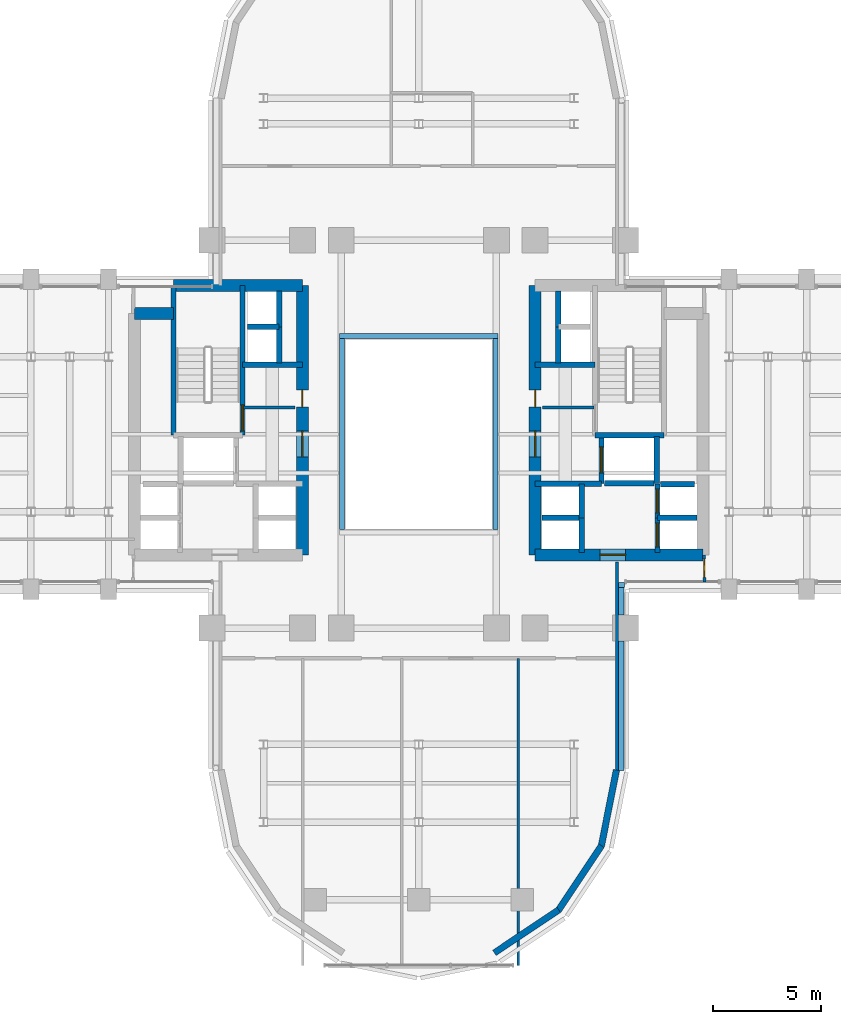
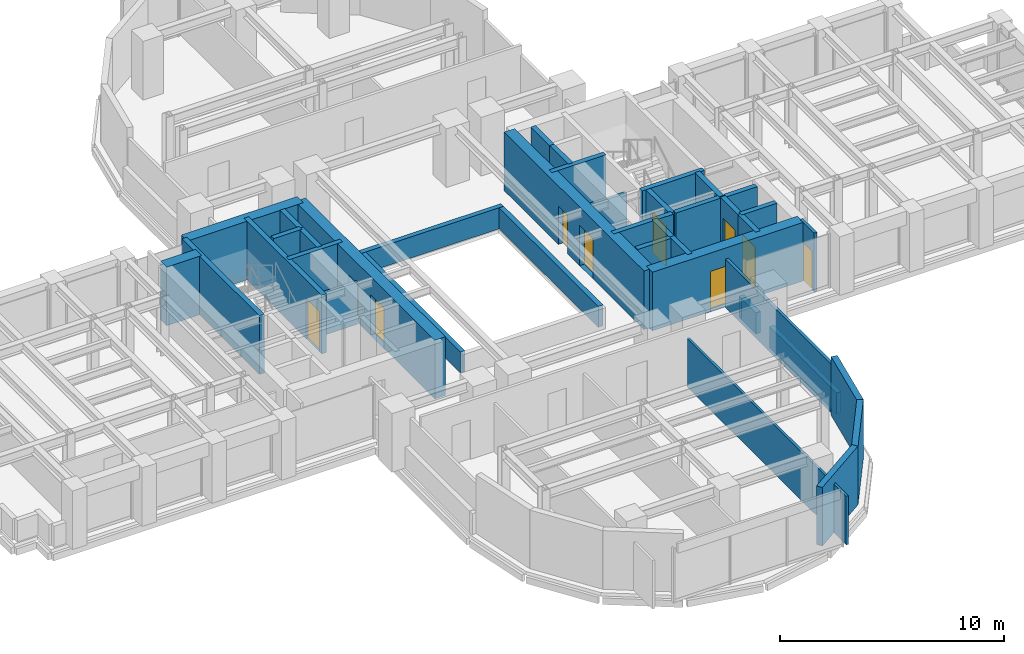
# One storey, part 11 of 16: 40 walls, 10 doors, 10 openings.
"""IFC4 building model written with IfcOpenShell, lengths in metres."""

from ifc_helpers import new_model, si_unit, direction, frame, frame_2d, origin, place, context, subcontext, project, spatial, rectangle, extrude, source, transform, mapped, material, layer, layer_set, type_object, element, fill, save


model = new_model("IFC4")

# Units and contexts
model_context = context("Model", 3, precision=1e-05, world=origin(), true_north=direction((0.0, 1.0)))
body_context = subcontext(model_context, "Body", "Model", "MODEL_VIEW")
ifc_project = project(units=[si_unit("LENGTHUNIT", "METRE"), si_unit("AREAUNIT", "SQUARE_METRE"), si_unit("VOLUMEUNIT", "CUBIC_METRE"), si_unit("PLANEANGLEUNIT", "RADIAN"), si_unit("MASSUNIT", "GRAM", prefix="KILO")], contexts=[model_context])

# Site, building, storey
site_placement = place(None, origin())
site = spatial("IfcSite", under=ifc_project, at=site_placement, CompositionType="ELEMENT")
building_placement = place(site_placement, origin())
building = spatial("IfcBuilding", under=site, at=building_placement, Name="Keilestroom Media Tower", CompositionType="ELEMENT")
storey_placement = place(building_placement, frame((0.0, 0.0, 78.199951171875)))
storey = spatial("IfcBuildingStorey", under=building, at=storey_placement, Name="L20", CompositionType="ELEMENT", Elevation=78.199951171875)

# Walls
ifc_material_1 = material(Name="Precast concrete C40/50", Category="concrete")
ifc_layer_1 = layer(ifc_material_1, 0.300048828125)
ifc_layer_set_1 = layer_set([ifc_layer_1], Name="Precast concrete C40/50")
wall_type_1 = type_object("IfcWallType", Name="Exterior-Masonry-Spandrel-Wall-300", PredefinedType="SOLIDWALL", material=ifc_layer_set_1)
wall_1_placement = place(storey_placement, frame((3.510009765625, -24.073486328125, 0.0), z_axis=(0.0, 0.0, 1.0), x_axis=(0.8314749531, 0.555562239868, 0.0)))
element("IfcWall", 1, at=wall_1_placement, inside=storey, type_object=wall_type_1, Name="L20 Lobe Facet Precast Frame Wall 10", PredefinedType="SOLIDWALL", context=body_context, shape_type="SweptSolid", body=[
    extrude(rectangle(XDim=3.59326171875, YDim=0.300048828125, at=frame_2d((1.796630859375, 0.0))), origin(), (0.0, 0.0, 1.0), 3.199951171875),
])
for number, where, z_axis, x_axis, name in (
    (2, (6.47705078125, -22.097900390625, 0.0), (0.0, 0.0, 1.0), (0.555574187116, 0.831466970246, 0.0), "L20 Lobe Facet Precast Frame Wall 11"),
    (3, (8.470703125, -19.12451171875, 0.0), (0.0, 0.0, 1.0), (0.195114232679, 0.980780523974, 0.0), "L20 Lobe Facet Precast Frame Wall 12"),
):
    element("IfcWall", number, at=place(storey_placement, frame(where, z_axis=z_axis, x_axis=x_axis)), inside=storey, type_object=wall_type_1, Name=name, PredefinedType="SOLIDWALL", context=body_context, shape_type="SweptSolid", body=[
        extrude(rectangle(XDim=3.608642578125, YDim=0.300048828125, at=frame_2d((1.80419921875, 0.0))), origin(), (0.0, 0.0, 1.0), 3.199951171875),
    ])
ifc_material_2 = material(Name="Gypsum Plasterboard & Steel Stud", Category="steel")
ifc_layer_2 = layer(ifc_material_2, 0.1201171875)
ifc_layer_set_2 = layer_set([ifc_layer_2], Name="Gypsum Plasterboard & Steel Stud")
wall_type_2 = type_object("IfcWallType", Name="Interior-Partition-Wall-120", PredefinedType="PARTITIONING", material=ifc_layer_set_2)
wall_2_placement = place(storey_placement, frame((4.6201171875, -24.64990234375, 0.0), z_axis=(0.0, 0.0, 1.0), x_axis=(0.0, 1.0, 0.0)))
element("IfcWall", 4, at=wall_2_placement, inside=storey, type_object=wall_type_2, Name="L20 Interior Wall WP-L20-SL-QV3", PredefinedType="PARTITIONING", context=body_context, shape_type="SweptSolid", body=[
    extrude(rectangle(XDim=14.25, YDim=0.1201171875, at=frame_2d((7.125, 0.0))), origin(), (0.0, 0.0, 1.0), 2.650146484375),
])
ifc_layer_3 = layer(ifc_material_2, 0.14990234375)
ifc_layer_set_3 = layer_set([ifc_layer_3], Name="Gypsum Plasterboard & Steel Stud")
wall_type_3 = type_object("IfcWallType", Name="Interior-Partition-Wall-150", PredefinedType="PARTITIONING", material=ifc_layer_set_3)
for number, where, z_axis, x_axis, name in (
    (5, (-8.139892578125, 1.239990234375, 0.0), (0.0, 0.0, 1.0), (1.0, 0.0, 0.0), "L20 Interior Wall WP-L20-FFW-TOP"),
    (6, (5.75, 1.239990234375, 0.0), (0.0, 0.0, 1.0), (1.0, 0.0, 0.0), "L20 Interior Wall WP-L20-FFE-TOP"),
):
    element("IfcWall", number, at=place(storey_placement, frame(where, z_axis=z_axis, x_axis=x_axis)), inside=storey, type_object=wall_type_3, Name=name, PredefinedType="PARTITIONING", context=body_context, shape_type="SweptSolid", body=[
        extrude(rectangle(XDim=2.389892578125, YDim=0.14990234375, at=frame_2d((1.19482421875, 0.0))), origin(), (0.0, 0.0, 1.0), 2.300048828125),
    ])
wall_3_placement = place(storey_placement, frame((9.199951171875, -15.679931640625, 0.0), z_axis=(0.0, 0.0, 1.0), x_axis=(0.0, 1.0, 0.0)))
element("IfcWall", 7, at=wall_3_placement, inside=storey, type_object=wall_type_3, Name="L20 Interior Wall WP-L20-SL-CHKE", PredefinedType="PARTITIONING", context=body_context, shape_type="SweptSolid", body=[
    extrude(rectangle(XDim=9.739990234375, YDim=0.14990234375, at=frame_2d((4.8701171875, 0.0))), origin(), (0.0, 0.0, 1.0), 2.650146484375),
])

# Wall, opening, door
wall_4_placement = place(storey_placement, frame((13.260009765625, -6.85009765625, 0.0), z_axis=(0.0, 0.0, 1.0), x_axis=(-0.016013571389, 0.999871774545, 0.0)))
wall_4 = element("IfcWall", 8, at=wall_4_placement, inside=storey, type_object=wall_type_3, Name="L20 Interior Wall WP-L20-EA-ENTS", PredefinedType="PARTITIONING", context=body_context, shape_type="SweptSolid", body=[
    extrude(rectangle(XDim=1.250244140625, YDim=0.14990234375, at=frame_2d((0.625, 0.0))), origin(), (0.0, 0.0, 1.0), 3.199951171875),
])
opening_1_placement = place(wall_4_placement, frame((0.199951171875, 0.0, 0.0)))
opening_1 = element("IfcOpeningElement", 9, at=opening_1_placement, cuts=wall_4, Name="Opening DI-05", PredefinedType="OPENING", context=body_context, shape_type="SweptSolid", body=[
    extrude(rectangle(XDim=0.85009765625, YDim=2.10009765625, at=frame_2d((0.425048828125, 1.050048828125))), frame((0.0, 0.0849609375, 0.0), z_axis=(0.0, -1.0, 0.0), x_axis=(1.0, 0.0, 0.0)), (0.0, 0.0, 1.0), 0.169921875),
])
ifc_material_3 = material(Name="Moisture-Resistant Oak Leaf", Category="wood")
door_type_1 = type_object("IfcDoorType", Name="Interior-En-Suite-And-Cupboard-Door-DI-05", OperationType="NOTDEFINED", PredefinedType="DOOR", material=ifc_material_3)
shared_shape_1 = source(origin(), body_context, "Body", "SweptSolid", [
    extrude(rectangle(XDim=0.85009765625, YDim=2.10009765625, at=frame_2d((0.425048828125, 1.050048828125))), frame((0.0, 0.02490234375, 0.0), z_axis=(0.0, -1.0, 0.0), x_axis=(1.0, 0.0, 0.0)), (0.0, 0.0, 1.0), 0.050048828125),
])
door_1_placement = place(opening_1_placement, origin())
door_1 = element("IfcDoor", 10, at=door_1_placement, inside=storey, type_object=door_type_1, Name="L20 Interior Door DI-L20-DEA-S", OperationType="SINGLE_SWING_LEFT", OverallHeight=2.10009765625, OverallWidth=0.85009765625, PredefinedType="DOOR", context=body_context, shape_type="MappedRepresentation", body=[
    mapped(shared_shape_1, transform((0.0, 0.0, 0.0), x_axis=(1.0, 0.0, 0.0), y_axis=(0.0, 1.0, 0.0), z_axis=(0.0, 0.0, 1.0), scale=1.0)),
])
fill(opening_1, door_1)

# Wall, openings, doors
ifc_material_4 = material(Name="Concrete C70/85", Category="concrete")
ifc_layer_4 = layer(ifc_material_4, 0.550048828125)
ifc_layer_set_4 = layer_set([ifc_layer_4], Name="Concrete C70/85")
wall_type_4 = type_object("IfcWallType", Name="Reinforced-Concrete-Core-Shear-Wall-550", PredefinedType="SHEAR", material=ifc_layer_set_4)
wall_5_placement = place(storey_placement, frame((-5.39990234375, -5.60009765625, 0.0), z_axis=(0.0, 0.0, 1.0), x_axis=(0.0, 1.0, 0.0)))
wall_5 = element("IfcWall", 11, at=wall_5_placement, inside=storey, type_object=wall_type_4, Name="L20 Core Shear Wall WL-L20-CORE-W-IN", PredefinedType="SHEAR", context=body_context, shape_type="SweptSolid", body=[
    extrude(rectangle(XDim=12.5, YDim=0.550048828125, at=frame_2d((6.25, 0.0))), origin(), (0.0, 0.0, 1.0), 3.199951171875),
])
opening_2_placement = place(wall_5_placement, frame((4.550048828125, 0.0, 0.0)))
opening_2 = element("IfcOpeningElement", 12, at=opening_2_placement, cuts=wall_5, Name="Opening DI-02", PredefinedType="OPENING", context=body_context, shape_type="SweptSolid", body=[
    extrude(rectangle(XDim=1.199951171875, YDim=2.199951171875, at=frame_2d((0.60009765625, 1.10009765625))), frame((0.0, 0.28515625, 0.0), z_axis=(0.0, -1.0, 0.0), x_axis=(1.0, 0.0, 0.0)), (0.0, 0.0, 1.0), 0.570068359375),
])
opening_3_placement = place(wall_5_placement, frame((6.860107421875, 0.0, 0.0)))
opening_3 = element("IfcOpeningElement", 13, at=opening_3_placement, cuts=wall_5, Name="Opening DI-06", PredefinedType="OPENING", context=body_context, shape_type="SweptSolid", body=[
    extrude(rectangle(XDim=0.800048828125, YDim=2.10009765625, at=frame_2d((0.39990234375, 1.050048828125))), frame((0.0, 0.28515625, 0.0), z_axis=(0.0, -1.0, 0.0), x_axis=(1.0, 0.0, 0.0)), (0.0, 0.0, 1.0), 0.570068359375),
])
ifc_material_5 = material(Name="Powder-Coated Steel Fire Leaf", Category="steel")
door_type_2 = type_object("IfcDoorType", Name="Interior-Compartment-Fire-Door-DI-02", OperationType="NOTDEFINED", PredefinedType="DOOR", material=ifc_material_5)
shared_shape_2 = source(origin(), body_context, "Body", "SweptSolid", [
    extrude(rectangle(XDim=1.199951171875, YDim=2.199951171875, at=frame_2d((0.60009765625, 1.10009765625))), frame((0.0, 0.02490234375, 0.0), z_axis=(0.0, -1.0, 0.0), x_axis=(1.0, 0.0, 0.0)), (0.0, 0.0, 1.0), 0.050048828125),
])
door_2_placement = place(opening_2_placement, origin())
door_2 = element("IfcDoor", 14, at=door_2_placement, inside=storey, type_object=door_type_2, Name="L20 W Firefighting Lobby Door", OperationType="SINGLE_SWING_RIGHT", OverallHeight=2.199951171875, OverallWidth=1.199951171875, PredefinedType="DOOR", context=body_context, shape_type="MappedRepresentation", body=[
    mapped(shared_shape_2, transform((0.0, 0.0, 0.0), x_axis=(1.0, 0.0, 0.0), y_axis=(0.0, 1.0, 0.0), z_axis=(0.0, 0.0, 1.0), scale=1.0)),
])
fill(opening_2, door_2)
ifc_material_6 = material(Name="Powder-Coated Steel Service Leaf", Category="steel")
door_type_3 = type_object("IfcDoorType", Name="Interior-Riser-Access-Door-DI-06", OperationType="NOTDEFINED", PredefinedType="DOOR", material=ifc_material_6)
shared_shape_3 = source(origin(), body_context, "Body", "SweptSolid", [
    extrude(rectangle(XDim=0.800048828125, YDim=2.10009765625, at=frame_2d((0.39990234375, 1.050048828125))), frame((0.0, 0.02490234375, 0.0), z_axis=(0.0, -1.0, 0.0), x_axis=(1.0, 0.0, 0.0)), (0.0, 0.0, 1.0), 0.050048828125),
])
door_3_placement = place(opening_3_placement, origin())
door_3 = element("IfcDoor", 15, at=door_3_placement, inside=storey, type_object=door_type_3, Name="L20 West Core Switchroom Door", OperationType="SINGLE_SWING_LEFT", OverallHeight=2.10009765625, OverallWidth=0.800048828125, PredefinedType="DOOR", context=body_context, shape_type="MappedRepresentation", body=[
    mapped(shared_shape_3, transform((0.0, 0.0, 0.0), x_axis=(1.0, 0.0, 0.0), y_axis=(0.0, 1.0, 0.0), z_axis=(0.0, 0.0, 1.0), scale=1.0)),
])
fill(opening_3, door_3)

# Walls
wall_6_placement = place(storey_placement, frame((-11.381103515625, 6.89990234375, 0.0), z_axis=(0.0, 0.0, 1.0), x_axis=(1.0, 0.0, 0.0)))
element("IfcWall", 16, at=wall_6_placement, inside=storey, type_object=wall_type_4, Name="L20 Core Shear Wall WL-L20-CORE-W-N", PredefinedType="SHEAR", context=body_context, shape_type="SweptSolid", body=[
    extrude(rectangle(XDim=5.981201171875, YDim=0.550048828125, at=frame_2d((2.99072265625, 0.0))), origin(), (0.0, 0.0, 1.0), 3.199951171875),
])
wall_7_placement = place(storey_placement, frame((-13.199951171875, 5.60009765625, 0.0), z_axis=(0.0, 0.0, 1.0), x_axis=(1.0, 0.0, 0.0)))
element("IfcWall", 17, at=wall_7_placement, inside=storey, type_object=wall_type_4, Name="L20 Core Shear Wall WL-L20-CNW-N", PredefinedType="SHEAR", context=body_context, shape_type="SweptSolid", body=[
    extrude(rectangle(XDim=1.81884765625, YDim=0.550048828125, at=frame_2d((0.909423828125, 0.0))), origin(), (0.0, 0.0, 1.0), 3.199951171875),
])

# Wall, openings, doors
wall_8_placement = place(storey_placement, frame((5.39990234375, -5.60009765625, 0.0), z_axis=(0.0, 0.0, 1.0), x_axis=(0.0, 1.0, 0.0)))
wall_8 = element("IfcWall", 18, at=wall_8_placement, inside=storey, type_object=wall_type_4, Name="L20 Core Shear Wall WL-L20-CORE-E-IN", PredefinedType="SHEAR", context=body_context, shape_type="SweptSolid", body=[
    extrude(rectangle(XDim=12.5, YDim=0.550048828125, at=frame_2d((6.25, 0.0))), origin(), (0.0, 0.0, 1.0), 3.199951171875),
])
opening_4_placement = place(wall_8_placement, frame((4.550048828125, 0.0, 0.0)))
opening_4 = element("IfcOpeningElement", 19, at=opening_4_placement, cuts=wall_8, Name="Opening DI-02", PredefinedType="OPENING", context=body_context, shape_type="SweptSolid", body=[
    extrude(rectangle(XDim=1.199951171875, YDim=2.199951171875, at=frame_2d((0.60009765625, 1.10009765625))), frame((0.0, 0.28515625, 0.0), z_axis=(0.0, -1.0, 0.0), x_axis=(1.0, 0.0, 0.0)), (0.0, 0.0, 1.0), 0.570068359375),
])
opening_5_placement = place(wall_8_placement, frame((6.860107421875, 0.0, 0.0)))
opening_5 = element("IfcOpeningElement", 20, at=opening_5_placement, cuts=wall_8, Name="Opening DI-06", PredefinedType="OPENING", context=body_context, shape_type="SweptSolid", body=[
    extrude(rectangle(XDim=0.800048828125, YDim=2.10009765625, at=frame_2d((0.39990234375, 1.050048828125))), frame((0.0, 0.28515625, 0.0), z_axis=(0.0, -1.0, 0.0), x_axis=(1.0, 0.0, 0.0)), (0.0, 0.0, 1.0), 0.570068359375),
])
door_4_placement = place(opening_4_placement, origin())
door_4 = element("IfcDoor", 21, at=door_4_placement, inside=storey, type_object=door_type_2, Name="L20 E Firefighting Lobby Door", OperationType="SINGLE_SWING_LEFT", OverallHeight=2.199951171875, OverallWidth=1.199951171875, PredefinedType="DOOR", context=body_context, shape_type="MappedRepresentation", body=[
    mapped(shared_shape_2, transform((0.0, 0.0, 0.0), x_axis=(1.0, 0.0, 0.0), y_axis=(0.0, 1.0, 0.0), z_axis=(0.0, 0.0, 1.0), scale=1.0)),
])
fill(opening_4, door_4)
door_5_placement = place(opening_5_placement, origin())
door_5 = element("IfcDoor", 22, at=door_5_placement, inside=storey, type_object=door_type_3, Name="L20 East Core Telecom Door", OperationType="SINGLE_SWING_RIGHT", OverallHeight=2.10009765625, OverallWidth=0.800048828125, PredefinedType="DOOR", context=body_context, shape_type="MappedRepresentation", body=[
    mapped(shared_shape_3, transform((0.0, 0.0, 0.0), x_axis=(1.0, 0.0, 0.0), y_axis=(0.0, 1.0, 0.0), z_axis=(0.0, 0.0, 1.0), scale=1.0)),
])
fill(opening_5, door_5)

# Wall, opening, door
wall_9_placement = place(storey_placement, frame((5.39990234375, -5.60009765625, 0.0), z_axis=(0.0, 0.0, 1.0), x_axis=(1.0, 0.0, 0.0)))
wall_9 = element("IfcWall", 23, at=wall_9_placement, inside=storey, type_object=wall_type_4, Name="L20 Core Shear Wall WL-L20-CORE-E-S", PredefinedType="SHEAR", context=body_context, shape_type="SweptSolid", body=[
    extrude(rectangle(XDim=7.800048828125, YDim=0.550048828125, at=frame_2d((3.89990234375, 0.0))), origin(), (0.0, 0.0, 1.0), 3.199951171875),
])
opening_6_placement = place(wall_9_placement, frame((3.0, 0.0, 0.0)))
opening_6 = element("IfcOpeningElement", 24, at=opening_6_placement, cuts=wall_9, Name="Opening DI-02", PredefinedType="OPENING", context=body_context, shape_type="SweptSolid", body=[
    extrude(rectangle(XDim=1.199951171875, YDim=2.199951171875, at=frame_2d((0.60009765625, 1.10009765625))), frame((0.0, 0.28515625, 0.0), z_axis=(0.0, -1.0, 0.0), x_axis=(1.0, 0.0, 0.0)), (0.0, 0.0, 1.0), 0.570068359375),
])
door_6_placement = place(opening_6_placement, origin())
door_6 = element("IfcDoor", 25, at=door_6_placement, inside=storey, type_object=door_type_2, Name="L20 E Passenger Lift Lobby Door", OperationType="SINGLE_SWING_RIGHT", OverallHeight=2.199951171875, OverallWidth=1.199951171875, PredefinedType="DOOR", context=body_context, shape_type="MappedRepresentation", body=[
    mapped(shared_shape_2, transform((0.0, 0.0, 0.0), x_axis=(1.0, 0.0, 0.0), y_axis=(0.0, 1.0, 0.0), z_axis=(0.0, 0.0, 1.0), scale=1.0)),
])
fill(opening_6, door_6)

# Wall
ifc_material_7 = material(Name="Concrete C50/60", Category="concrete")
ifc_layer_5 = layer(ifc_material_7, 0.25)
ifc_layer_set_5 = layer_set([ifc_layer_5], Name="Concrete C50/60")
wall_type_5 = type_object("IfcWallType", Name="Reinforced-Concrete-Shaft-Wall-250", PredefinedType="SOLIDWALL", material=ifc_layer_set_5)
wall_10_placement = place(storey_placement, frame((-8.179931640625, 3.219970703125, 0.0), z_axis=(0.0, 0.0, 1.0), x_axis=(1.0, 0.0, 0.0)))
element("IfcWall", 26, at=wall_10_placement, inside=storey, type_object=wall_type_5, Name="L20 Core Shear Wall WL-L20-CORE-W-FFN", PredefinedType="SOLIDWALL", context=body_context, shape_type="SweptSolid", body=[
    extrude(rectangle(XDim=2.780029296875, YDim=0.25, at=frame_2d((1.39013671875, 0.0))), origin(), (0.0, 0.0, 1.0), 3.199951171875),
])

# Wall, opening, door
wall_11_placement = place(storey_placement, frame((-8.178955078125, -0.041015625, 0.0), z_axis=(0.0, 0.0, 1.0), x_axis=(0.0, 1.0, 0.0)))
wall_11 = element("IfcWall", 27, at=wall_11_placement, inside=storey, type_object=wall_type_5, Name="L20 Core Shear Wall WL-L20-STW-W-NEAR", PredefinedType="SOLIDWALL", context=body_context, shape_type="SweptSolid", body=[
    extrude(rectangle(XDim=6.94091796875, YDim=0.25, at=frame_2d((3.470458984375, 0.0))), origin(), (0.0, 0.0, 1.0), 3.199951171875),
])
opening_7_placement = place(wall_11_placement, frame((0.199951171875, 0.0, 0.0)))
opening_7 = element("IfcOpeningElement", 28, at=opening_7_placement, cuts=wall_11, Name="Opening DI-01S", PredefinedType="OPENING", context=body_context, shape_type="SweptSolid", body=[
    extrude(rectangle(XDim=1.199951171875, YDim=2.199951171875, at=frame_2d((0.60009765625, 1.10009765625))), frame((0.0, 0.135009765625, 0.0), z_axis=(0.0, -1.0, 0.0), x_axis=(1.0, 0.0, 0.0)), (0.0, 0.0, 1.0), 0.27001953125),
])
door_type_4 = type_object("IfcDoorType", Name="Interior-Stair-And-Core-Fire-Door-DI-01", OperationType="NOTDEFINED", PredefinedType="DOOR", material=ifc_material_5)
door_7_placement = place(opening_7_placement, origin())
door_7 = element("IfcDoor", 29, at=door_7_placement, inside=storey, type_object=door_type_4, Name="L20 Escape Stair ST-1 Fire Door", OperationType="SINGLE_SWING_LEFT", OverallHeight=2.199951171875, OverallWidth=1.199951171875, PredefinedType="DOOR", context=body_context, shape_type="MappedRepresentation", body=[
    mapped(shared_shape_2, transform((0.0, 0.0, 0.0), x_axis=(1.0, 0.0, 0.0), y_axis=(0.0, 1.0, 0.0), z_axis=(0.0, 0.0, 1.0), scale=1.0)),
])
fill(opening_7, door_7)

# Walls
wall_12_placement = place(storey_placement, frame((-11.381103515625, -0.041015625, 0.0), z_axis=(0.0, 0.0, 1.0), x_axis=(0.0, 1.0, 0.0)))
element("IfcWall", 30, at=wall_12_placement, inside=storey, type_object=wall_type_5, Name="L20 Core Shear Wall WL-L20-STW-W-FAR", PredefinedType="SOLIDWALL", context=body_context, shape_type="SweptSolid", body=[
    extrude(rectangle(XDim=6.94091796875, YDim=0.25, at=frame_2d((3.470458984375, 0.0))), origin(), (0.0, 0.0, 1.0), 3.199951171875),
])
wall_13_placement = place(storey_placement, frame((5.39990234375, 3.219970703125, 0.0), z_axis=(0.0, 0.0, 1.0), x_axis=(1.0, 0.0, 0.0)))
element("IfcWall", 31, at=wall_13_placement, inside=storey, type_object=wall_type_5, Name="L20 Core Shear Wall WL-L20-CORE-E-FFN", PredefinedType="SOLIDWALL", context=body_context, shape_type="SweptSolid", body=[
    extrude(rectangle(XDim=2.780029296875, YDim=0.25, at=frame_2d((1.39013671875, 0.0))), origin(), (0.0, 0.0, 1.0), 3.199951171875),
])
wall_14_placement = place(storey_placement, frame((5.39990234375, -2.300048828125, 0.0), z_axis=(0.0, 0.0, 1.0), x_axis=(1.0, 0.0, 0.0)))
element("IfcWall", 32, at=wall_14_placement, inside=storey, type_object=wall_type_5, Name="L20 Core Shear Wall WL-L20-CORE-E-FFS", PredefinedType="SOLIDWALL", context=body_context, shape_type="SweptSolid", body=[
    extrude(rectangle(XDim=3.080078125, YDim=0.25, at=frame_2d((1.5400390625, 0.0))), origin(), (0.0, 0.0, 1.0), 3.199951171875),
])
wall_15_placement = place(storey_placement, frame((8.178955078125, -0.041015625, 0.0), z_axis=(0.0, 0.0, 1.0), x_axis=(1.0, 0.0, 0.0)))
element("IfcWall", 33, at=wall_15_placement, inside=storey, type_object=wall_type_5, Name="L20 Core Shear Wall WL-L20-STW-E-S", PredefinedType="SOLIDWALL", context=body_context, shape_type="SweptSolid", body=[
    extrude(rectangle(XDim=3.2021484375, YDim=0.25, at=frame_2d((1.60107421875, 0.0))), origin(), (0.0, 0.0, 1.0), 3.199951171875),
])

# Wall, opening, door
wall_16_placement = place(storey_placement, frame((8.47998046875, -2.280029296875, 0.0), z_axis=(0.0, 0.0, 1.0), x_axis=(0.0, 1.0, 0.0)))
wall_16 = element("IfcWall", 34, at=wall_16_placement, inside=storey, type_object=wall_type_5, Name="L20 Core Shear Wall WL-L20-LSH-FFL-2-W", PredefinedType="SOLIDWALL", context=body_context, shape_type="SweptSolid", body=[
    extrude(rectangle(XDim=2.179931640625, YDim=0.25, at=frame_2d((1.08984375, 0.0))), origin(), (0.0, 0.0, 1.0), 3.199951171875),
])
opening_8_placement = place(wall_16_placement, frame((0.489990234375, 0.0, 0.0)))
opening_8 = element("IfcOpeningElement", 35, at=opening_8_placement, cuts=wall_16, Name="Opening LD-02", PredefinedType="OPENING", context=body_context, shape_type="SweptSolid", body=[
    extrude(rectangle(XDim=1.199951171875, YDim=2.199951171875, at=frame_2d((0.60009765625, 1.10009765625))), frame((0.0, 0.135009765625, 0.0), z_axis=(0.0, -1.0, 0.0), x_axis=(1.0, 0.0, 0.0)), (0.0, 0.0, 1.0), 0.27001953125),
])
ifc_material_8 = material(Name="Brushed Stainless Steel Sliding Leaf", Category="steel")
door_type_5 = type_object("IfcDoorType", Name="Lift-Landing-Sliding-Door-LD-02", OperationType="SLIDING_TO_RIGHT", PredefinedType="DOOR", material=ifc_material_8)
door_8_placement = place(opening_8_placement, origin())
door_8 = element("IfcDoor", 36, at=door_8_placement, inside=storey, type_object=door_type_5, Name="L20 Lift FFL-2 Landing Sliding Door", OperationType="SLIDING_TO_RIGHT", OverallHeight=2.199951171875, OverallWidth=1.199951171875, PredefinedType="DOOR", context=body_context, shape_type="MappedRepresentation", body=[
    mapped(shared_shape_2, transform((0.0, 0.0, 0.0), x_axis=(1.0, 0.0, 0.0), y_axis=(0.0, 1.0, 0.0), z_axis=(0.0, 0.0, 1.0), scale=1.0)),
])
fill(opening_8, door_8)

# Walls
wall_17_placement = place(storey_placement, frame((11.050048828125, -2.280029296875, 0.0), z_axis=(0.0, 0.0, 1.0), x_axis=(0.0, 1.0, 0.0)))
element("IfcWall", 37, at=wall_17_placement, inside=storey, type_object=wall_type_5, Name="L20 Core Shear Wall WL-L20-LSH-FFL-2-E", PredefinedType="SOLIDWALL", context=body_context, shape_type="SweptSolid", body=[
    extrude(rectangle(XDim=2.179931640625, YDim=0.25, at=frame_2d((1.08984375, 0.0))), origin(), (0.0, 0.0, 1.0), 3.199951171875),
])
wall_18_placement = place(storey_placement, frame((8.60888671875, -2.280029296875, 0.0), z_axis=(0.0, 0.0, 1.0), x_axis=(1.0, 0.0, 0.0)))
element("IfcWall", 38, at=wall_18_placement, inside=storey, type_object=wall_type_5, Name="L20 Core Shear Wall WL-L20-LSH-FFL-2-S", PredefinedType="SOLIDWALL", context=body_context, shape_type="SweptSolid", body=[
    extrude(rectangle(XDim=2.31201171875, YDim=0.25, at=frame_2d((1.156005859375, 0.0))), origin(), (0.0, 0.0, 1.0), 3.199951171875),
])

# Wall, opening, door
wall_19_placement = place(storey_placement, frame((11.080078125, -5.47998046875, 0.0), z_axis=(0.0, 0.0, 1.0), x_axis=(0.0, 1.0, 0.0)))
wall_19 = element("IfcWall", 39, at=wall_19_placement, inside=storey, type_object=wall_type_5, Name="L20 Core Shear Wall WL-L20-LSH-PL-L3-W", PredefinedType="SOLIDWALL", context=body_context, shape_type="SweptSolid", body=[
    extrude(rectangle(XDim=1.60009765625, YDim=0.25, at=frame_2d((0.800048828125, 0.0))), origin(), (0.0, 0.0, 1.0), 3.199951171875),
])
opening_9_placement = place(wall_19_placement, frame((0.25, 0.0, 0.0)))
opening_9 = element("IfcOpeningElement", 40, at=opening_9_placement, cuts=wall_19, Name="Opening LD-01", PredefinedType="OPENING", context=body_context, shape_type="SweptSolid", body=[
    extrude(rectangle(XDim=1.10009765625, YDim=2.199951171875, at=frame_2d((0.550048828125, 1.10009765625))), frame((0.0, 0.135009765625, 0.0), z_axis=(0.0, -1.0, 0.0), x_axis=(1.0, 0.0, 0.0)), (0.0, 0.0, 1.0), 0.27001953125),
])
door_type_6 = type_object("IfcDoorType", Name="Lift-Landing-Sliding-Door-LD-01", OperationType="SLIDING_TO_LEFT", PredefinedType="DOOR", material=ifc_material_8)
shared_shape_4 = source(origin(), body_context, "Body", "SweptSolid", [
    extrude(rectangle(XDim=1.10009765625, YDim=2.199951171875, at=frame_2d((0.550048828125, 1.10009765625))), frame((0.0, 0.02490234375, 0.0), z_axis=(0.0, -1.0, 0.0), x_axis=(1.0, 0.0, 0.0)), (0.0, 0.0, 1.0), 0.050048828125),
])
door_9_placement = place(opening_9_placement, origin())
door_9 = element("IfcDoor", 41, at=door_9_placement, inside=storey, type_object=door_type_6, Name="L20 Lift PL-L3 Landing Sliding Door", OperationType="SLIDING_TO_LEFT", OverallHeight=2.199951171875, OverallWidth=1.10009765625, PredefinedType="DOOR", context=body_context, shape_type="MappedRepresentation", body=[
    mapped(shared_shape_4, transform((0.0, 0.0, 0.0), x_axis=(1.0, 0.0, 0.0), y_axis=(0.0, 1.0, 0.0), z_axis=(0.0, 0.0, 1.0), scale=1.0)),
])
fill(opening_9, door_9)

# Wall
wall_20_placement = place(storey_placement, frame((11.080078125, -3.8798828125, 0.0), z_axis=(0.0, 0.0, 1.0), x_axis=(1.0, 0.0, 0.0)))
element("IfcWall", 42, at=wall_20_placement, inside=storey, type_object=wall_type_5, Name="L20 Core Shear Wall WL-L20-LSH-PL-L3-N", PredefinedType="SOLIDWALL", context=body_context, shape_type="SweptSolid", body=[
    extrude(rectangle(XDim=1.83984375, YDim=0.25, at=frame_2d((0.919921875, 0.0))), origin(), (0.0, 0.0, 1.0), 3.199951171875),
])

# Wall, opening, door
wall_21_placement = place(storey_placement, frame((11.080078125, -3.8798828125, 0.0), z_axis=(0.0, 0.0, 1.0), x_axis=(0.0, 1.0, 0.0)))
wall_21 = element("IfcWall", 43, at=wall_21_placement, inside=storey, type_object=wall_type_5, Name="L20 Core Shear Wall WL-L20-LSH-PL-L4-W", PredefinedType="SOLIDWALL", context=body_context, shape_type="SweptSolid", body=[
    extrude(rectangle(XDim=1.559814453125, YDim=0.25, at=frame_2d((0.77978515625, 0.0))), origin(), (0.0, 0.0, 1.0), 3.199951171875),
])
opening_10_placement = place(wall_21_placement, frame((0.22998046875, 0.0, 0.0)))
opening_10 = element("IfcOpeningElement", 44, at=opening_10_placement, cuts=wall_21, Name="Opening LD-01", PredefinedType="OPENING", context=body_context, shape_type="SweptSolid", body=[
    extrude(rectangle(XDim=1.10009765625, YDim=2.199951171875, at=frame_2d((0.550048828125, 1.10009765625))), frame((0.0, 0.135009765625, 0.0), z_axis=(0.0, -1.0, 0.0), x_axis=(1.0, 0.0, 0.0)), (0.0, 0.0, 1.0), 0.27001953125),
])
door_10_placement = place(opening_10_placement, origin())
door_10 = element("IfcDoor", 45, at=door_10_placement, inside=storey, type_object=door_type_6, Name="L20 Lift PL-L4 Landing Sliding Door", OperationType="SLIDING_TO_LEFT", OverallHeight=2.199951171875, OverallWidth=1.10009765625, PredefinedType="DOOR", context=body_context, shape_type="MappedRepresentation", body=[
    mapped(shared_shape_4, transform((0.0, 0.0, 0.0), x_axis=(1.0, 0.0, 0.0), y_axis=(0.0, 1.0, 0.0), z_axis=(0.0, 0.0, 1.0), scale=1.0)),
])
fill(opening_10, door_10)

# Walls
wall_22_placement = place(storey_placement, frame((11.208984375, -2.320068359375, 0.0), z_axis=(0.0, 0.0, 1.0), x_axis=(1.0, 0.0, 0.0)))
element("IfcWall", 46, at=wall_22_placement, inside=storey, type_object=wall_type_5, Name="L20 Core Shear Wall WL-L20-LSH-PL-L4-N", PredefinedType="SOLIDWALL", context=body_context, shape_type="SweptSolid", body=[
    extrude(rectangle(XDim=1.58203125, YDim=0.25, at=frame_2d((0.791015625, 0.0))), origin(), (0.0, 0.0, 1.0), 3.199951171875),
])
wall_23_placement = place(storey_placement, frame((7.56005859375, -5.47998046875, 0.0), z_axis=(0.0, 0.0, 1.0), x_axis=(0.0, 1.0, 0.0)))
element("IfcWall", 47, at=wall_23_placement, inside=storey, type_object=wall_type_5, Name="L20 Core Shear Wall WL-L20-LSH-PL-M3-E", PredefinedType="SOLIDWALL", context=body_context, shape_type="SweptSolid", body=[
    extrude(rectangle(XDim=1.60009765625, YDim=0.25, at=frame_2d((0.800048828125, 0.0))), origin(), (0.0, 0.0, 1.0), 3.199951171875),
])
wall_24_placement = place(storey_placement, frame((5.719970703125, -3.8798828125, 0.0), z_axis=(0.0, 0.0, 1.0), x_axis=(1.0, 0.0, 0.0)))
element("IfcWall", 48, at=wall_24_placement, inside=storey, type_object=wall_type_5, Name="L20 Core Shear Wall WL-L20-LSH-PL-M3-N", PredefinedType="SOLIDWALL", context=body_context, shape_type="SweptSolid", body=[
    extrude(rectangle(XDim=1.840087890625, YDim=0.25, at=frame_2d((0.919921875, 0.0))), origin(), (0.0, 0.0, 1.0), 3.199951171875),
])
wall_25_placement = place(storey_placement, frame((7.56005859375, -3.8798828125, 0.0), z_axis=(0.0, 0.0, 1.0), x_axis=(0.0, 1.0, 0.0)))
element("IfcWall", 49, at=wall_25_placement, inside=storey, type_object=wall_type_5, Name="L20 Core Shear Wall WL-L20-LSH-PL-M4-E", PredefinedType="SOLIDWALL", context=body_context, shape_type="SweptSolid", body=[
    extrude(rectangle(XDim=1.559814453125, YDim=0.25, at=frame_2d((0.77978515625, 0.0))), origin(), (0.0, 0.0, 1.0), 3.199951171875),
])
wall_26_placement = place(storey_placement, frame((-6.47998046875, 3.300048828125, 0.0), z_axis=(0.0, 0.0, 1.0), x_axis=(0.0, 1.0, 0.0)))
element("IfcWall", 50, at=wall_26_placement, inside=storey, type_object=wall_type_5, Name="L20 Core Shear Wall WL-L20-LSH-PL-H1-E", PredefinedType="SOLIDWALL", context=body_context, shape_type="SweptSolid", body=[
    extrude(rectangle(XDim=1.679931640625, YDim=0.25, at=frame_2d((0.83984375, 0.0))), origin(), (0.0, 0.0, 1.0), 3.199951171875),
])
wall_27_placement = place(storey_placement, frame((-7.949951171875, 4.97998046875, 0.0), z_axis=(0.0, 0.0, 1.0), x_axis=(1.0, 0.0, 0.0)))
element("IfcWall", 51, at=wall_27_placement, inside=storey, type_object=wall_type_5, Name="L20 Core Shear Wall WL-L20-LSH-PL-H1-N", PredefinedType="SOLIDWALL", context=body_context, shape_type="SweptSolid", body=[
    extrude(rectangle(XDim=1.469970703125, YDim=0.25, at=frame_2d((0.73486328125, 0.0))), origin(), (0.0, 0.0, 1.0), 3.199951171875),
])
wall_28_placement = place(storey_placement, frame((-6.47998046875, 4.97998046875, 0.0), z_axis=(0.0, 0.0, 1.0), x_axis=(0.0, 1.0, 0.0)))
element("IfcWall", 52, at=wall_28_placement, inside=storey, type_object=wall_type_5, Name="L20 Core Shear Wall WL-L20-LSH-PL-H2-E", PredefinedType="SOLIDWALL", context=body_context, shape_type="SweptSolid", body=[
    extrude(rectangle(XDim=1.669921875, YDim=0.25, at=frame_2d((0.8349609375, 0.0))), origin(), (0.0, 0.0, 1.0), 3.199951171875),
])
wall_29_placement = place(storey_placement, frame((6.47998046875, 3.300048828125, 0.0), z_axis=(0.0, 0.0, 1.0), x_axis=(0.0, 1.0, 0.0)))
element("IfcWall", 53, at=wall_29_placement, inside=storey, type_object=wall_type_5, Name="L20 Core Shear Wall WL-L20-LSH-PL-H3-W", PredefinedType="SOLIDWALL", context=body_context, shape_type="SweptSolid", body=[
    extrude(rectangle(XDim=1.679931640625, YDim=0.25, at=frame_2d((0.83984375, 0.0))), origin(), (0.0, 0.0, 1.0), 3.199951171875),
])
wall_30_placement = place(storey_placement, frame((6.47998046875, 4.97998046875, 0.0), z_axis=(0.0, 0.0, 1.0), x_axis=(0.0, 1.0, 0.0)))
element("IfcWall", 54, at=wall_30_placement, inside=storey, type_object=wall_type_5, Name="L20 Core Shear Wall WL-L20-LSH-PL-H4-W", PredefinedType="SOLIDWALL", context=body_context, shape_type="SweptSolid", body=[
    extrude(rectangle(XDim=1.669921875, YDim=0.25, at=frame_2d((0.8349609375, 0.0))), origin(), (0.0, 0.0, 1.0), 3.199951171875),
])
ifc_layer_6 = layer(ifc_material_1, 0.239990234375)
ifc_layer_set_6 = layer_set([ifc_layer_6], Name="Precast concrete C40/50")
wall_type_6 = type_object("IfcWallType", Name="Roof-And-Terrace-Parapet-Wall-240", PredefinedType="PARAPET", material=ifc_layer_set_6)
wall_31_placement = place(storey_placement, frame((9.547119140625, -7.0, 0.0), z_axis=(0.0, 0.0, 1.0), x_axis=(-1.0, 0.0, 0.0)))
element("IfcWall", 55, at=wall_31_placement, inside=storey, type_object=wall_type_6, Name="L20 Perimeter Edge Parapet Wall 06", PredefinedType="PARAPET", context=body_context, shape_type="SweptSolid", body=[
    extrude(rectangle(XDim=0.26904296875, YDim=0.239990234375, at=frame_2d((0.134521484375, 0.0))), origin(), (0.0, 0.0, 1.0), 1.150146484375),
])
wall_32_placement = place(storey_placement, frame((9.39990234375, -7.123046875, 0.0), z_axis=(0.0, 0.0, 1.0), x_axis=(0.0, -1.0, 0.0)))
element("IfcWall", 56, at=wall_32_placement, inside=storey, type_object=wall_type_6, Name="L20 Perimeter Edge Parapet Wall 07", PredefinedType="PARAPET", context=body_context, shape_type="SweptSolid", body=[
    extrude(rectangle(XDim=1.27392578125, YDim=0.239990234375, at=frame_2d((0.636962890625, 0.0))), origin(), (0.0, 0.0, 1.0), 1.150146484375),
])
wall_33_placement = place(storey_placement, frame((9.39990234375, -9.60302734375, 0.0), z_axis=(0.0, 0.0, 1.0), x_axis=(0.0, -1.0, 0.0)))
element("IfcWall", 57, at=wall_33_placement, inside=storey, type_object=wall_type_6, Name="L20 Perimeter Edge Parapet Wall 08", PredefinedType="PARAPET", context=body_context, shape_type="SweptSolid", body=[
    extrude(rectangle(XDim=5.999755859375, YDim=0.239990234375, at=frame_2d((3.0, 0.0))), origin(), (0.0, 0.0, 1.0), 1.150146484375),
])
wall_34_placement = place(storey_placement, frame((-3.679931640625, 4.56005859375, 0.0), z_axis=(0.0, 0.0, 1.0), x_axis=(1.0, 0.0, 0.0)))
element("IfcWall", 58, at=wall_34_placement, inside=storey, type_object=wall_type_6, Name="L20 Central Atrium Guard Parapet N", PredefinedType="PARAPET", context=body_context, shape_type="SweptSolid", body=[
    extrude(rectangle(XDim=7.35986328125, YDim=0.239990234375, at=frame_2d((3.679931640625, 0.0))), origin(), (0.0, 0.0, 1.0), 1.150146484375),
])
for number, where, z_axis, x_axis, name in (
    (59, (-3.56005859375, -4.43505859375, 0.0), (0.0, 0.0, 1.0), (0.0, 1.0, 0.0), "L20 Central Atrium Guard Parapet W"),
    (60, (3.56005859375, -4.43505859375, 0.0), (0.0, 0.0, 1.0), (0.0, 1.0, 0.0), "L20 Central Atrium Guard Parapet E"),
):
    element("IfcWall", number, at=place(storey_placement, frame(where, z_axis=z_axis, x_axis=x_axis)), inside=storey, type_object=wall_type_6, Name=name, PredefinedType="PARAPET", context=body_context, shape_type="SweptSolid", body=[
        extrude(rectangle(XDim=8.8701171875, YDim=0.239990234375, at=frame_2d((4.43505859375, 0.0))), origin(), (0.0, 0.0, 1.0), 1.150146484375),
    ])

save(model, "model.ifc")
